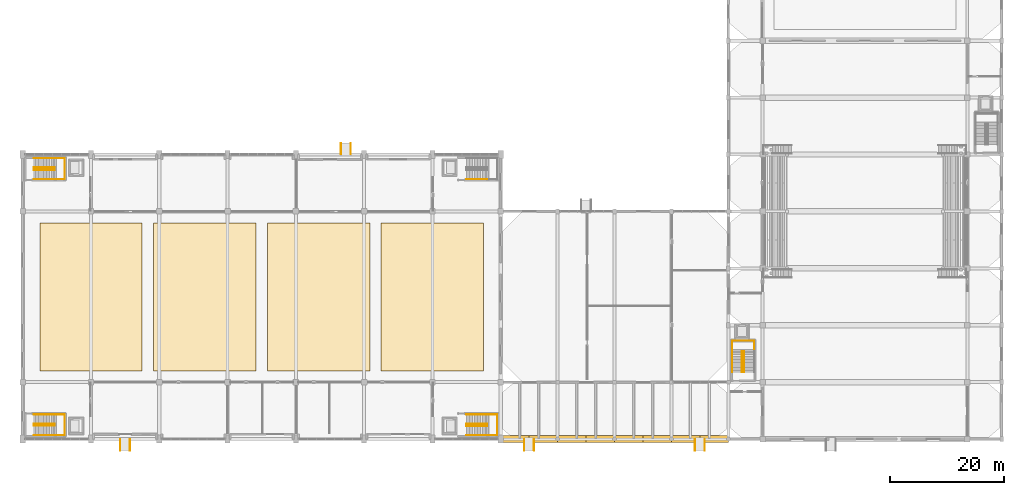
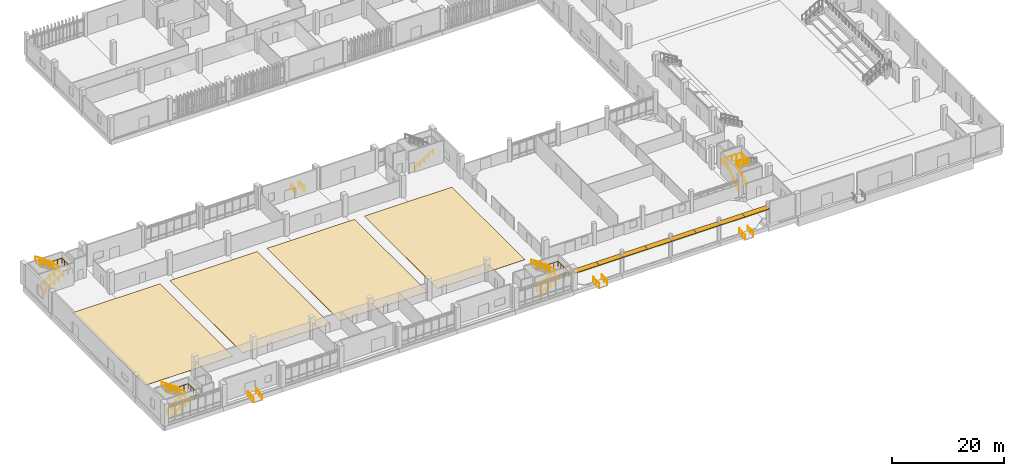
# One storey, part 81 of 87: 24 railings, 8 shading devices, 4 coverings.
"""IFC4 building model written with IfcOpenShell, lengths in metres."""

from ifc_helpers import new_model, si_unit, direction, frame, origin, origin_2d, place, context, subcontext, project, spatial, polyline, rectangle, circle, outline, extrude, material, layer, layer_set, type_object, element, save


model = new_model("IFC4")

# Units and contexts
model_context = context("Model", 3, precision=1e-05, world=origin(), true_north=direction((0.0, 1.0)))
body_context = subcontext(model_context, "Body", "Model", "MODEL_VIEW")
ifc_project = project(units=[si_unit("LENGTHUNIT", "METRE"), si_unit("AREAUNIT", "SQUARE_METRE"), si_unit("VOLUMEUNIT", "CUBIC_METRE"), si_unit("PLANEANGLEUNIT", "RADIAN"), si_unit("MASSUNIT", "GRAM", prefix="KILO")], contexts=[model_context])

# Site, building, storey
site_placement = place(None, origin())
site = spatial("IfcSite", under=ifc_project, at=site_placement, CompositionType="ELEMENT")
building_placement = place(site_placement, origin())
building = spatial("IfcBuilding", under=site, at=building_placement, Name="Mersad Railyard Sports Hall", CompositionType="ELEMENT")
storey_placement = place(building_placement, origin())
storey = spatial("IfcBuildingStorey", under=building, at=storey_placement, Name="L00", CompositionType="ELEMENT", Elevation=0.0)

# Coverings
ifc_material_1 = material(Name="Sports floor polyurethane")
ifc_layer_1 = layer(ifc_material_1, 0.030029296875)
ifc_layer_set_1 = layer_set([ifc_layer_1], Name="Sports floor polyurethane")
covering_type = type_object("IfcCoveringType", Name="ARC-CV-FL01", PredefinedType="FLOORING", material=ifc_layer_set_1)
covering_1_placement = place(storey_placement, origin())
element("IfcCovering", 1, at=covering_1_placement, inside=storey, type_object=covering_type, Name="Multi-sport court 1 flooring 016", PredefinedType="FLOORING", context=body_context, shape_type="SweptSolid", body=[
    extrude(outline(polyline([(10.0, 15.5), (28.0, 15.5), (28.0, 41.5), (10.0, 41.5), (10.0, 15.5)])), origin(), (0.0, 0.0, 1.0), 0.030029296875),
])
covering_2_placement = place(storey_placement, origin())
element("IfcCovering", 2, at=covering_2_placement, inside=storey, type_object=covering_type, Name="Multi-sport court 2 flooring 017", PredefinedType="FLOORING", context=body_context, shape_type="SweptSolid", body=[
    extrude(outline(polyline([(30.0, 15.5), (48.0, 15.5), (48.0, 41.5), (30.0, 41.5), (30.0, 15.5)])), origin(), (0.0, 0.0, 1.0), 0.030029296875),
])
covering_3_placement = place(storey_placement, origin())
element("IfcCovering", 3, at=covering_3_placement, inside=storey, type_object=covering_type, Name="Multi-sport court 3 flooring 018", PredefinedType="FLOORING", context=body_context, shape_type="SweptSolid", body=[
    extrude(outline(polyline([(50.0, 15.5), (68.0, 15.5), (68.0, 41.5), (50.0, 41.5), (50.0, 15.5)])), origin(), (0.0, 0.0, 1.0), 0.030029296875),
])
covering_4_placement = place(storey_placement, origin())
element("IfcCovering", 4, at=covering_4_placement, inside=storey, type_object=covering_type, Name="Multi-sport court 4 flooring 019", PredefinedType="FLOORING", context=body_context, shape_type="SweptSolid", body=[
    extrude(outline(polyline([(70.0, 15.5), (88.0, 15.5), (88.0, 41.5), (70.0, 41.5), (70.0, 15.5)])), origin(), (0.0, 0.0, 1.0), 0.030029296875),
])

# Railings
ifc_material_2 = material(Name="Steel S355", Category="steel")
railing_type_1 = type_object("IfcRailingType", Name="ARC-RL-GR01", PredefinedType="GUARDRAIL", material=ifc_material_2)
railing_1_placement = place(storey_placement, frame((8.949951171875, 5.830078125, 0.0)))
element("IfcRailing", 5, at=railing_1_placement, inside=storey, type_object=railing_type_1, Name="Interior guard GR01-0103", PredefinedType="GUARDRAIL", context=body_context, shape_type="SweptSolid", body=[
    extrude(circle(Radius=0.02392578125, at=origin_2d()), frame((0.0, 0.0, 1.09619140625), z_axis=(0.83488217925, 0.0, 0.55042869363), x_axis=(0.0, 1.0, 0.0)), (0.0, 0.0, 1.0), 4.360107421875),
    extrude(circle(Radius=0.02392578125, at=origin_2d()), frame((3.64013671875, 0.0, 3.49609375), z_axis=(0.0, 1.0, 0.0), x_axis=(-1.0, 0.0, 0.0)), (0.0, 0.0, 1.0), 0.33984375),
    extrude(circle(Radius=0.02392578125, at=origin_2d()), frame((3.64013671875, 0.33984375, 3.49609375), z_axis=(-0.834856447115, 0.0, 0.55046772177), x_axis=(0.0, -1.0, 0.0)), (0.0, 0.0, 1.0), 4.360107421875),
    extrude(circle(Radius=0.02099609375, at=origin_2d()), origin(), (0.0, 0.0, 1.0), 1.072021484375),
    extrude(circle(Radius=0.02099609375, at=origin_2d()), frame((0.91015625, 0.0, 0.60009765625)), (0.0, 0.0, 1.0), 1.072021484375),
    extrude(circle(Radius=0.02099609375, at=origin_2d()), frame((1.820068359375, 0.0, 1.199951171875)), (0.0, 0.0, 1.0), 1.072021484375),
    extrude(circle(Radius=0.02099609375, at=origin_2d()), frame((2.72998046875, 0.0, 1.7998046875)), (0.0, 0.0, 1.0), 1.072021484375),
    extrude(circle(Radius=0.02099609375, at=origin_2d()), frame((3.64013671875, 0.0, 2.39990234375)), (0.0, 0.0, 1.0), 1.072021484375),
    extrude(circle(Radius=0.02099609375, at=origin_2d()), frame((3.64013671875, 0.33984375, 2.39990234375)), (0.0, 0.0, 1.0), 1.072021484375),
    extrude(circle(Radius=0.02099609375, at=origin_2d()), frame((2.72998046875, 0.33984375, 3.0)), (0.0, 0.0, 1.0), 1.072021484375),
    extrude(circle(Radius=0.02099609375, at=origin_2d()), frame((1.820068359375, 0.33984375, 3.60009765625)), (0.0, 0.0, 1.0), 1.072021484375),
    extrude(circle(Radius=0.02099609375, at=origin_2d()), frame((0.91015625, 0.33984375, 4.199951171875)), (0.0, 0.0, 1.0), 1.072021484375),
    extrude(circle(Radius=0.02099609375, at=origin_2d()), frame((0.0, 0.33984375, 4.800048828125)), (0.0, 0.0, 1.0), 1.072021484375),
])
railing_2_placement = place(storey_placement, frame((12.590087890625, 4.159912109375, 2.39990234375)))
element("IfcRailing", 6, at=railing_2_placement, inside=storey, type_object=railing_type_1, Name="Interior guard GR01-0104", PredefinedType="GUARDRAIL", context=body_context, shape_type="SweptSolid", body=[
    extrude(circle(Radius=0.02392578125, at=origin_2d()), frame((0.0, 0.0, 1.09619140625), z_axis=(1.0, 0.0, 0.0), x_axis=(0.0, 1.0, 0.0)), (0.0, 0.0, 1.0), 1.7998046875),
    extrude(circle(Radius=0.02392578125, at=origin_2d()), frame((1.7998046875, 0.0, 1.09619140625), z_axis=(0.0, 1.0, 0.0), x_axis=(-1.0, 0.0, 0.0)), (0.0, 0.0, 1.0), 3.68017578125),
    extrude(circle(Radius=0.02392578125, at=origin_2d()), frame((1.7998046875, 3.68017578125, 1.09619140625), z_axis=(-1.0, 0.0, 0.0), x_axis=(0.0, -1.0, 0.0)), (0.0, 0.0, 1.0), 1.7998046875),
    extrude(circle(Radius=0.02099609375, at=origin_2d()), origin(), (0.0, 0.0, 1.0), 1.072021484375),
    extrude(circle(Radius=0.02099609375, at=origin_2d()), frame((0.89990234375, 0.0, 0.0)), (0.0, 0.0, 1.0), 1.072021484375),
    extrude(circle(Radius=0.02099609375, at=origin_2d()), frame((1.7998046875, 0.0, 0.0)), (0.0, 0.0, 1.0), 1.072021484375),
    extrude(circle(Radius=0.02099609375, at=origin_2d()), frame((1.7998046875, 0.919921875, 0.0)), (0.0, 0.0, 1.0), 1.072021484375),
    extrude(circle(Radius=0.02099609375, at=origin_2d()), frame((1.7998046875, 1.840087890625, 0.0)), (0.0, 0.0, 1.0), 1.072021484375),
    extrude(circle(Radius=0.02099609375, at=origin_2d()), frame((1.7998046875, 2.76025390625, 0.0)), (0.0, 0.0, 1.0), 1.072021484375),
    extrude(circle(Radius=0.02099609375, at=origin_2d()), frame((1.7998046875, 3.68017578125, 0.0)), (0.0, 0.0, 1.0), 1.072021484375),
    extrude(circle(Radius=0.02099609375, at=origin_2d()), frame((0.89990234375, 3.68017578125, 0.0)), (0.0, 0.0, 1.0), 1.072021484375),
    extrude(circle(Radius=0.02099609375, at=origin_2d()), frame((0.0, 3.68017578125, 0.0)), (0.0, 0.0, 1.0), 1.072021484375),
])
railing_3_placement = place(storey_placement, frame((84.949951171875, 5.81005859375, 0.0)))
element("IfcRailing", 7, at=railing_3_placement, inside=storey, type_object=railing_type_1, Name="Interior guard GR01-0113", PredefinedType="GUARDRAIL", context=body_context, shape_type="SweptSolid", body=[
    extrude(circle(Radius=0.02392578125, at=origin_2d()), frame((0.0, 0.0, 1.09619140625), z_axis=(0.83488217925, 0.0, 0.55042869363), x_axis=(0.0, 1.0, 0.0)), (0.0, 0.0, 1.0), 4.360107421875),
    extrude(circle(Radius=0.02392578125, at=origin_2d()), frame((3.64013671875, 0.0, 3.49609375), z_axis=(0.0, 1.0, 0.0), x_axis=(-1.0, 0.0, 0.0)), (0.0, 0.0, 1.0), 0.3798828125),
    extrude(circle(Radius=0.02392578125, at=origin_2d()), frame((3.64013671875, 0.3798828125, 3.49609375), z_axis=(-0.834856447115, 0.0, 0.55046772177), x_axis=(0.0, -1.0, 0.0)), (0.0, 0.0, 1.0), 4.360107421875),
    extrude(circle(Radius=0.02099609375, at=origin_2d()), origin(), (0.0, 0.0, 1.0), 1.072021484375),
    extrude(circle(Radius=0.02099609375, at=origin_2d()), frame((0.91015625, 0.0, 0.60009765625)), (0.0, 0.0, 1.0), 1.072021484375),
    extrude(circle(Radius=0.02099609375, at=origin_2d()), frame((1.820068359375, 0.0, 1.199951171875)), (0.0, 0.0, 1.0), 1.072021484375),
    extrude(circle(Radius=0.02099609375, at=origin_2d()), frame((2.72998046875, 0.0, 1.7998046875)), (0.0, 0.0, 1.0), 1.072021484375),
    extrude(circle(Radius=0.02099609375, at=origin_2d()), frame((3.64013671875, 0.0, 2.39990234375)), (0.0, 0.0, 1.0), 1.072021484375),
    extrude(circle(Radius=0.02099609375, at=origin_2d()), frame((3.64013671875, 0.3798828125, 2.39990234375)), (0.0, 0.0, 1.0), 1.072021484375),
    extrude(circle(Radius=0.02099609375, at=origin_2d()), frame((2.72998046875, 0.3798828125, 3.0)), (0.0, 0.0, 1.0), 1.072021484375),
    extrude(circle(Radius=0.02099609375, at=origin_2d()), frame((1.820068359375, 0.3798828125, 3.60009765625)), (0.0, 0.0, 1.0), 1.072021484375),
    extrude(circle(Radius=0.02099609375, at=origin_2d()), frame((0.91015625, 0.3798828125, 4.199951171875)), (0.0, 0.0, 1.0), 1.072021484375),
    extrude(circle(Radius=0.02099609375, at=origin_2d()), frame((0.0, 0.3798828125, 4.800048828125)), (0.0, 0.0, 1.0), 1.072021484375),
])
railing_4_placement = place(storey_placement, frame((88.590087890625, 4.159912109375, 2.39990234375)))
element("IfcRailing", 8, at=railing_4_placement, inside=storey, type_object=railing_type_1, Name="Interior guard GR01-0114", PredefinedType="GUARDRAIL", context=body_context, shape_type="SweptSolid", body=[
    extrude(circle(Radius=0.02392578125, at=origin_2d()), frame((0.0, 0.0, 1.09619140625), z_axis=(1.0, 0.0, 0.0), x_axis=(0.0, 1.0, 0.0)), (0.0, 0.0, 1.0), 1.7998046875),
    extrude(circle(Radius=0.02392578125, at=origin_2d()), frame((1.7998046875, 0.0, 1.09619140625), z_axis=(0.0, 1.0, 0.0), x_axis=(-1.0, 0.0, 0.0)), (0.0, 0.0, 1.0), 3.68017578125),
    extrude(circle(Radius=0.02392578125, at=origin_2d()), frame((1.7998046875, 3.68017578125, 1.09619140625), z_axis=(-1.0, 0.0, 0.0), x_axis=(0.0, -1.0, 0.0)), (0.0, 0.0, 1.0), 1.7998046875),
    extrude(circle(Radius=0.02099609375, at=origin_2d()), origin(), (0.0, 0.0, 1.0), 1.072021484375),
    extrude(circle(Radius=0.02099609375, at=origin_2d()), frame((0.89990234375, 0.0, 0.0)), (0.0, 0.0, 1.0), 1.072021484375),
    extrude(circle(Radius=0.02099609375, at=origin_2d()), frame((1.7998046875, 0.0, 0.0)), (0.0, 0.0, 1.0), 1.072021484375),
    extrude(circle(Radius=0.02099609375, at=origin_2d()), frame((1.7998046875, 0.919921875, 0.0)), (0.0, 0.0, 1.0), 1.072021484375),
    extrude(circle(Radius=0.02099609375, at=origin_2d()), frame((1.7998046875, 1.840087890625, 0.0)), (0.0, 0.0, 1.0), 1.072021484375),
    extrude(circle(Radius=0.02099609375, at=origin_2d()), frame((1.7998046875, 2.76025390625, 0.0)), (0.0, 0.0, 1.0), 1.072021484375),
    extrude(circle(Radius=0.02099609375, at=origin_2d()), frame((1.7998046875, 3.68017578125, 0.0)), (0.0, 0.0, 1.0), 1.072021484375),
    extrude(circle(Radius=0.02099609375, at=origin_2d()), frame((0.89990234375, 3.68017578125, 0.0)), (0.0, 0.0, 1.0), 1.072021484375),
    extrude(circle(Radius=0.02099609375, at=origin_2d()), frame((0.0, 3.68017578125, 0.0)), (0.0, 0.0, 1.0), 1.072021484375),
])
railing_5_placement = place(storey_placement, frame((8.949951171875, 50.7900390625, 0.0)))
element("IfcRailing", 9, at=railing_5_placement, inside=storey, type_object=railing_type_1, Name="Interior guard GR01-0123", PredefinedType="GUARDRAIL", context=body_context, shape_type="SweptSolid", body=[
    extrude(circle(Radius=0.02392578125, at=origin_2d()), frame((0.0, 0.0, 1.09619140625), z_axis=(0.83488217925, 0.0, 0.55042869363), x_axis=(0.0, 1.0, 0.0)), (0.0, 0.0, 1.0), 4.360107421875),
    extrude(circle(Radius=0.02392578125, at=origin_2d()), frame((3.64013671875, 0.0, 3.49609375), z_axis=(0.0, 1.0, 0.0), x_axis=(-1.0, 0.0, 0.0)), (0.0, 0.0, 1.0), 0.419921875),
    extrude(circle(Radius=0.02392578125, at=origin_2d()), frame((3.64013671875, 0.419921875, 3.49609375), z_axis=(-0.834856447115, 0.0, 0.55046772177), x_axis=(0.0, -1.0, 0.0)), (0.0, 0.0, 1.0), 4.360107421875),
    extrude(circle(Radius=0.02099609375, at=origin_2d()), origin(), (0.0, 0.0, 1.0), 1.072021484375),
    extrude(circle(Radius=0.02099609375, at=origin_2d()), frame((0.91015625, 0.0, 0.60009765625)), (0.0, 0.0, 1.0), 1.072021484375),
    extrude(circle(Radius=0.02099609375, at=origin_2d()), frame((1.820068359375, 0.0, 1.199951171875)), (0.0, 0.0, 1.0), 1.072021484375),
    extrude(circle(Radius=0.02099609375, at=origin_2d()), frame((2.72998046875, 0.0, 1.7998046875)), (0.0, 0.0, 1.0), 1.072021484375),
    extrude(circle(Radius=0.02099609375, at=origin_2d()), frame((3.64013671875, 0.0, 2.39990234375)), (0.0, 0.0, 1.0), 1.072021484375),
    extrude(circle(Radius=0.02099609375, at=origin_2d()), frame((3.64013671875, 0.419921875, 2.39990234375)), (0.0, 0.0, 1.0), 1.072021484375),
    extrude(circle(Radius=0.02099609375, at=origin_2d()), frame((2.72998046875, 0.419921875, 3.0)), (0.0, 0.0, 1.0), 1.072021484375),
    extrude(circle(Radius=0.02099609375, at=origin_2d()), frame((1.820068359375, 0.419921875, 3.60009765625)), (0.0, 0.0, 1.0), 1.072021484375),
    extrude(circle(Radius=0.02099609375, at=origin_2d()), frame((0.91015625, 0.419921875, 4.199951171875)), (0.0, 0.0, 1.0), 1.072021484375),
    extrude(circle(Radius=0.02099609375, at=origin_2d()), frame((0.0, 0.419921875, 4.800048828125)), (0.0, 0.0, 1.0), 1.072021484375),
])
railing_6_placement = place(storey_placement, frame((12.590087890625, 49.159912109375, 2.39990234375)))
element("IfcRailing", 10, at=railing_6_placement, inside=storey, type_object=railing_type_1, Name="Interior guard GR01-0124", PredefinedType="GUARDRAIL", context=body_context, shape_type="SweptSolid", body=[
    extrude(circle(Radius=0.02392578125, at=origin_2d()), frame((0.0, 0.0, 1.09619140625), z_axis=(1.0, 0.0, 0.0), x_axis=(0.0, 1.0, 0.0)), (0.0, 0.0, 1.0), 1.7998046875),
    extrude(circle(Radius=0.02392578125, at=origin_2d()), frame((1.7998046875, 0.0, 1.09619140625), z_axis=(0.0, 1.0, 0.0), x_axis=(-1.0, 0.0, 0.0)), (0.0, 0.0, 1.0), 3.68017578125),
    extrude(circle(Radius=0.02392578125, at=origin_2d()), frame((1.7998046875, 3.68017578125, 1.09619140625), z_axis=(-1.0, 0.0, 0.0), x_axis=(0.0, -1.0, 0.0)), (0.0, 0.0, 1.0), 1.7998046875),
    extrude(circle(Radius=0.02099609375, at=origin_2d()), origin(), (0.0, 0.0, 1.0), 1.072021484375),
    extrude(circle(Radius=0.02099609375, at=origin_2d()), frame((0.89990234375, 0.0, 0.0)), (0.0, 0.0, 1.0), 1.072021484375),
    extrude(circle(Radius=0.02099609375, at=origin_2d()), frame((1.7998046875, 0.0, 0.0)), (0.0, 0.0, 1.0), 1.072021484375),
    extrude(circle(Radius=0.02099609375, at=origin_2d()), frame((1.7998046875, 0.919921875, 0.0)), (0.0, 0.0, 1.0), 1.072021484375),
    extrude(circle(Radius=0.02099609375, at=origin_2d()), frame((1.7998046875, 1.840087890625, 0.0)), (0.0, 0.0, 1.0), 1.072021484375),
    extrude(circle(Radius=0.02099609375, at=origin_2d()), frame((1.7998046875, 2.76025390625, 0.0)), (0.0, 0.0, 1.0), 1.072021484375),
    extrude(circle(Radius=0.02099609375, at=origin_2d()), frame((1.7998046875, 3.68017578125, 0.0)), (0.0, 0.0, 1.0), 1.072021484375),
    extrude(circle(Radius=0.02099609375, at=origin_2d()), frame((0.89990234375, 3.68017578125, 0.0)), (0.0, 0.0, 1.0), 1.072021484375),
    extrude(circle(Radius=0.02099609375, at=origin_2d()), frame((0.0, 3.68017578125, 0.0)), (0.0, 0.0, 1.0), 1.072021484375),
])
railing_7_placement = place(storey_placement, frame((133.409912109375, 15.25, 0.0)))
element("IfcRailing", 11, at=railing_7_placement, inside=storey, type_object=railing_type_1, Name="Interior guard GR01-0143", PredefinedType="GUARDRAIL", context=body_context, shape_type="SweptSolid", body=[
    extrude(circle(Radius=0.02392578125, at=origin_2d()), frame((0.0, 0.0, 1.09619140625), z_axis=(0.0, 0.834865213223, 0.550454426587), x_axis=(-1.0, 0.0, 0.0)), (0.0, 0.0, 1.0), 4.35986328125),
    extrude(circle(Radius=0.02392578125, at=origin_2d()), frame((0.0, 3.639892578125, 3.49609375), z_axis=(1.0, 0.0, 0.0), x_axis=(0.0, 1.0, 0.0)), (0.0, 0.0, 1.0), 0.380126953125),
    extrude(circle(Radius=0.02392578125, at=origin_2d()), frame((0.380126953125, 3.639892578125, 3.49609375), z_axis=(0.0, -0.834839479206, 0.550493454965), x_axis=(1.0, 0.0, 0.0)), (0.0, 0.0, 1.0), 4.360107421875),
    extrude(circle(Radius=0.02099609375, at=origin_2d()), origin(), (0.0, 0.0, 1.0), 1.072021484375),
    extrude(circle(Radius=0.02099609375, at=origin_2d()), frame((0.0, 0.909912109375, 0.60009765625)), (0.0, 0.0, 1.0), 1.072021484375),
    extrude(circle(Radius=0.02099609375, at=origin_2d()), frame((0.0, 1.81982421875, 1.199951171875)), (0.0, 0.0, 1.0), 1.072021484375),
    extrude(circle(Radius=0.02099609375, at=origin_2d()), frame((0.0, 2.72998046875, 1.7998046875)), (0.0, 0.0, 1.0), 1.072021484375),
    extrude(circle(Radius=0.02099609375, at=origin_2d()), frame((0.0, 3.639892578125, 2.39990234375)), (0.0, 0.0, 1.0), 1.072021484375),
    extrude(circle(Radius=0.02099609375, at=origin_2d()), frame((0.380126953125, 3.639892578125, 2.39990234375)), (0.0, 0.0, 1.0), 1.072021484375),
    extrude(circle(Radius=0.02099609375, at=origin_2d()), frame((0.380126953125, 2.72998046875, 3.0)), (0.0, 0.0, 1.0), 1.072021484375),
    extrude(circle(Radius=0.02099609375, at=origin_2d()), frame((0.380126953125, 1.81982421875, 3.60009765625)), (0.0, 0.0, 1.0), 1.072021484375),
    extrude(circle(Radius=0.02099609375, at=origin_2d()), frame((0.380126953125, 0.909912109375, 4.199951171875)), (0.0, 0.0, 1.0), 1.072021484375),
    extrude(circle(Radius=0.02099609375, at=origin_2d()), frame((0.380126953125, 0.0, 4.800048828125)), (0.0, 0.0, 1.0), 1.072021484375),
])
railing_8_placement = place(storey_placement, frame((131.659912109375, 18.889892578125, 2.39990234375)))
element("IfcRailing", 12, at=railing_8_placement, inside=storey, type_object=railing_type_1, Name="Interior guard GR01-0144", PredefinedType="GUARDRAIL", context=body_context, shape_type="SweptSolid", body=[
    extrude(circle(Radius=0.02392578125, at=origin_2d()), frame((0.0, 0.0, 1.09619140625), z_axis=(0.0, 1.0, 0.0), x_axis=(-1.0, 0.0, 0.0)), (0.0, 0.0, 1.0), 1.900146484375),
    extrude(circle(Radius=0.02392578125, at=origin_2d()), frame((0.0, 1.900146484375, 1.09619140625), z_axis=(1.0, 0.0, 0.0), x_axis=(0.0, 1.0, 0.0)), (0.0, 0.0, 1.0), 3.880126953125),
    extrude(circle(Radius=0.02392578125, at=origin_2d()), frame((3.880126953125, 1.900146484375, 1.09619140625), z_axis=(0.0, -1.0, 0.0), x_axis=(1.0, 0.0, 0.0)), (0.0, 0.0, 1.0), 1.900146484375),
    extrude(circle(Radius=0.02099609375, at=origin_2d()), origin(), (0.0, 0.0, 1.0), 1.072021484375),
    extrude(circle(Radius=0.02099609375, at=origin_2d()), frame((0.0, 0.9501953125, 0.0)), (0.0, 0.0, 1.0), 1.072021484375),
    extrude(circle(Radius=0.02099609375, at=origin_2d()), frame((0.0, 1.900146484375, 0.0)), (0.0, 0.0, 1.0), 1.072021484375),
    extrude(circle(Radius=0.02099609375, at=origin_2d()), frame((0.969970703125, 1.900146484375, 0.0)), (0.0, 0.0, 1.0), 1.072021484375),
    extrude(circle(Radius=0.02099609375, at=origin_2d()), frame((1.93994140625, 1.900146484375, 0.0)), (0.0, 0.0, 1.0), 1.072021484375),
    extrude(circle(Radius=0.02099609375, at=origin_2d()), frame((2.91015625, 1.900146484375, 0.0)), (0.0, 0.0, 1.0), 1.072021484375),
    extrude(circle(Radius=0.02099609375, at=origin_2d()), frame((3.880126953125, 1.900146484375, 0.0)), (0.0, 0.0, 1.0), 1.072021484375),
    extrude(circle(Radius=0.02099609375, at=origin_2d()), frame((3.880126953125, 0.9501953125, 0.0)), (0.0, 0.0, 1.0), 1.072021484375),
    extrude(circle(Radius=0.02099609375, at=origin_2d()), frame((3.880126953125, 0.0, 0.0)), (0.0, 0.0, 1.0), 1.072021484375),
])
for number, where, name in (
    (13, (95.139892578125, 1.5, -0.14990234375), "Interior guard GR01-0168"),
    (14, (96.860107421875, 1.5, -0.14990234375), "Interior guard GR01-0169"),
    (15, (125.139892578125, 1.5, -0.14990234375), "Interior guard GR01-0170"),
    (16, (126.860107421875, 1.5, -0.14990234375), "Interior guard GR01-0171"),
    (17, (24.139892578125, 1.5, -0.14990234375), "Interior guard GR01-0172"),
    (18, (25.860107421875, 1.5, -0.14990234375), "Interior guard GR01-0173"),
):
    element("IfcRailing", number, at=place(storey_placement, frame(where)), inside=storey, type_object=railing_type_1, Name=name, PredefinedType="GUARDRAIL", context=body_context, shape_type="SweptSolid", body=[
        extrude(circle(Radius=0.02392578125, at=origin_2d()), frame((0.0, 0.0, 1.09619140625), z_axis=(0.0, 0.99743646422, 0.07155766796), x_axis=(-1.0, 0.0, 0.0)), (0.0, 0.0, 1.0), 1.955078125),
        extrude(circle(Radius=0.02099609375, at=origin_2d()), origin(), (0.0, 0.0, 1.0), 1.072021484375),
        extrude(circle(Radius=0.02099609375, at=origin_2d()), frame((0.0, 0.97509765625, 0.06982421875)), (0.0, 0.0, 1.0), 1.072021484375),
        extrude(circle(Radius=0.02099609375, at=origin_2d()), frame((0.0, 1.949951171875, 0.139892578125)), (0.0, 0.0, 1.0), 1.072021484375),
    ])
for number, where, name in (
    (19, (62.93994140625, 55.5, -0.14990234375), "Interior guard GR01-0174"),
    (20, (64.659912109375, 55.5, -0.14990234375), "Interior guard GR01-0175"),
):
    element("IfcRailing", number, at=place(storey_placement, frame(where)), inside=storey, type_object=railing_type_1, Name=name, PredefinedType="GUARDRAIL", context=body_context, shape_type="SweptSolid", body=[
        extrude(circle(Radius=0.02392578125, at=origin_2d()), frame((0.0, 0.0, 1.09619140625), z_axis=(0.0, -0.99743646422, 0.07155766796), x_axis=(1.0, 0.0, 0.0)), (0.0, 0.0, 1.0), 1.955078125),
        extrude(circle(Radius=0.02099609375, at=origin_2d()), origin(), (0.0, 0.0, 1.0), 1.072021484375),
        extrude(circle(Radius=0.02099609375, at=origin_2d()), frame((0.0, -0.97509765625, 0.06982421875)), (0.0, 0.0, 1.0), 1.072021484375),
        extrude(circle(Radius=0.02099609375, at=origin_2d()), frame((0.0, -1.949951171875, 0.139892578125)), (0.0, 0.0, 1.0), 1.072021484375),
    ])
railing_type_2 = type_object("IfcRailingType", Name="ARC-RL-HR01", PredefinedType="HANDRAIL", material=ifc_material_2)
railing_9_placement = place(storey_placement, frame((8.949951171875, 4.159912109375, 0.0)))
element("IfcRailing", 21, at=railing_9_placement, inside=storey, type_object=railing_type_2, Name="Interior handrail HR01-0101", PredefinedType="HANDRAIL", context=body_context, shape_type="SweptSolid", body=[
    extrude(circle(Radius=0.02392578125, at=origin_2d()), frame((0.0, 0.0, 0.89599609375), z_axis=(0.83488217925, 0.0, 0.55042869363), x_axis=(0.0, 1.0, 0.0)), (0.0, 0.0, 1.0), 4.360107421875),
    extrude(circle(Radius=0.02099609375, at=origin_2d()), origin(), (0.0, 0.0, 1.0), 0.871826171875),
    extrude(circle(Radius=0.02099609375, at=origin_2d()), frame((0.91015625, 0.0, 0.60009765625)), (0.0, 0.0, 1.0), 0.871826171875),
    extrude(circle(Radius=0.02099609375, at=origin_2d()), frame((1.820068359375, 0.0, 1.199951171875)), (0.0, 0.0, 1.0), 0.871826171875),
    extrude(circle(Radius=0.02099609375, at=origin_2d()), frame((2.72998046875, 0.0, 1.7998046875)), (0.0, 0.0, 1.0), 0.871826171875),
    extrude(circle(Radius=0.02099609375, at=origin_2d()), frame((3.64013671875, 0.0, 2.39990234375)), (0.0, 0.0, 1.0), 0.871826171875),
])
railing_10_placement = place(storey_placement, frame((12.590087890625, 7.840087890625, 2.39990234375)))
element("IfcRailing", 22, at=railing_10_placement, inside=storey, type_object=railing_type_2, Name="Interior handrail HR01-0102", PredefinedType="HANDRAIL", context=body_context, shape_type="SweptSolid", body=[
    extrude(circle(Radius=0.02392578125, at=origin_2d()), frame((0.0, 0.0, 0.89599609375), z_axis=(-0.834856447115, 0.0, 0.55046772177), x_axis=(0.0, -1.0, 0.0)), (0.0, 0.0, 1.0), 4.360107421875),
    extrude(circle(Radius=0.02099609375, at=origin_2d()), origin(), (0.0, 0.0, 1.0), 0.871826171875),
    extrude(circle(Radius=0.02099609375, at=origin_2d()), frame((-0.91015625, 0.0, 0.60009765625)), (0.0, 0.0, 1.0), 0.871826171875),
    extrude(circle(Radius=0.02099609375, at=origin_2d()), frame((-1.820068359375, 0.0, 1.2001953125)), (0.0, 0.0, 1.0), 0.871826171875),
    extrude(circle(Radius=0.02099609375, at=origin_2d()), frame((-2.72998046875, 0.0, 1.800048828125)), (0.0, 0.0, 1.0), 0.871826171875),
    extrude(circle(Radius=0.02099609375, at=origin_2d()), frame((-3.64013671875, 0.0, 2.400146484375)), (0.0, 0.0, 1.0), 0.871826171875),
])
railing_11_placement = place(storey_placement, frame((84.949951171875, 4.159912109375, 0.0)))
element("IfcRailing", 23, at=railing_11_placement, inside=storey, type_object=railing_type_2, Name="Interior handrail HR01-0111", PredefinedType="HANDRAIL", context=body_context, shape_type="SweptSolid", body=[
    extrude(circle(Radius=0.02392578125, at=origin_2d()), frame((0.0, 0.0, 0.89599609375), z_axis=(0.83488217925, 0.0, 0.55042869363), x_axis=(0.0, 1.0, 0.0)), (0.0, 0.0, 1.0), 4.360107421875),
    extrude(circle(Radius=0.02099609375, at=origin_2d()), origin(), (0.0, 0.0, 1.0), 0.871826171875),
    extrude(circle(Radius=0.02099609375, at=origin_2d()), frame((0.91015625, 0.0, 0.60009765625)), (0.0, 0.0, 1.0), 0.871826171875),
    extrude(circle(Radius=0.02099609375, at=origin_2d()), frame((1.820068359375, 0.0, 1.199951171875)), (0.0, 0.0, 1.0), 0.871826171875),
    extrude(circle(Radius=0.02099609375, at=origin_2d()), frame((2.72998046875, 0.0, 1.7998046875)), (0.0, 0.0, 1.0), 0.871826171875),
    extrude(circle(Radius=0.02099609375, at=origin_2d()), frame((3.64013671875, 0.0, 2.39990234375)), (0.0, 0.0, 1.0), 0.871826171875),
])
railing_12_placement = place(storey_placement, frame((88.590087890625, 7.840087890625, 2.39990234375)))
element("IfcRailing", 24, at=railing_12_placement, inside=storey, type_object=railing_type_2, Name="Interior handrail HR01-0112", PredefinedType="HANDRAIL", context=body_context, shape_type="SweptSolid", body=[
    extrude(circle(Radius=0.02392578125, at=origin_2d()), frame((0.0, 0.0, 0.89599609375), z_axis=(-0.834856447115, 0.0, 0.55046772177), x_axis=(0.0, -1.0, 0.0)), (0.0, 0.0, 1.0), 4.360107421875),
    extrude(circle(Radius=0.02099609375, at=origin_2d()), origin(), (0.0, 0.0, 1.0), 0.871826171875),
    extrude(circle(Radius=0.02099609375, at=origin_2d()), frame((-0.91015625, 0.0, 0.60009765625)), (0.0, 0.0, 1.0), 0.871826171875),
    extrude(circle(Radius=0.02099609375, at=origin_2d()), frame((-1.820068359375, 0.0, 1.2001953125)), (0.0, 0.0, 1.0), 0.871826171875),
    extrude(circle(Radius=0.02099609375, at=origin_2d()), frame((-2.72998046875, 0.0, 1.800048828125)), (0.0, 0.0, 1.0), 0.871826171875),
    extrude(circle(Radius=0.02099609375, at=origin_2d()), frame((-3.64013671875, 0.0, 2.400146484375)), (0.0, 0.0, 1.0), 0.871826171875),
])
railing_13_placement = place(storey_placement, frame((8.949951171875, 49.159912109375, 0.0)))
element("IfcRailing", 25, at=railing_13_placement, inside=storey, type_object=railing_type_2, Name="Interior handrail HR01-0121", PredefinedType="HANDRAIL", context=body_context, shape_type="SweptSolid", body=[
    extrude(circle(Radius=0.02392578125, at=origin_2d()), frame((0.0, 0.0, 0.89599609375), z_axis=(0.83488217925, 0.0, 0.55042869363), x_axis=(0.0, 1.0, 0.0)), (0.0, 0.0, 1.0), 4.360107421875),
    extrude(circle(Radius=0.02099609375, at=origin_2d()), origin(), (0.0, 0.0, 1.0), 0.871826171875),
    extrude(circle(Radius=0.02099609375, at=origin_2d()), frame((0.91015625, 0.0, 0.60009765625)), (0.0, 0.0, 1.0), 0.871826171875),
    extrude(circle(Radius=0.02099609375, at=origin_2d()), frame((1.820068359375, 0.0, 1.199951171875)), (0.0, 0.0, 1.0), 0.871826171875),
    extrude(circle(Radius=0.02099609375, at=origin_2d()), frame((2.72998046875, 0.0, 1.7998046875)), (0.0, 0.0, 1.0), 0.871826171875),
    extrude(circle(Radius=0.02099609375, at=origin_2d()), frame((3.64013671875, 0.0, 2.39990234375)), (0.0, 0.0, 1.0), 0.871826171875),
])
railing_14_placement = place(storey_placement, frame((12.590087890625, 52.840087890625, 2.39990234375)))
element("IfcRailing", 26, at=railing_14_placement, inside=storey, type_object=railing_type_2, Name="Interior handrail HR01-0122", PredefinedType="HANDRAIL", context=body_context, shape_type="SweptSolid", body=[
    extrude(circle(Radius=0.02392578125, at=origin_2d()), frame((0.0, 0.0, 0.89599609375), z_axis=(-0.834856447115, 0.0, 0.55046772177), x_axis=(0.0, -1.0, 0.0)), (0.0, 0.0, 1.0), 4.360107421875),
    extrude(circle(Radius=0.02099609375, at=origin_2d()), origin(), (0.0, 0.0, 1.0), 0.871826171875),
    extrude(circle(Radius=0.02099609375, at=origin_2d()), frame((-0.91015625, 0.0, 0.60009765625)), (0.0, 0.0, 1.0), 0.871826171875),
    extrude(circle(Radius=0.02099609375, at=origin_2d()), frame((-1.820068359375, 0.0, 1.2001953125)), (0.0, 0.0, 1.0), 0.871826171875),
    extrude(circle(Radius=0.02099609375, at=origin_2d()), frame((-2.72998046875, 0.0, 1.800048828125)), (0.0, 0.0, 1.0), 0.871826171875),
    extrude(circle(Radius=0.02099609375, at=origin_2d()), frame((-3.64013671875, 0.0, 2.400146484375)), (0.0, 0.0, 1.0), 0.871826171875),
])
railing_15_placement = place(storey_placement, frame((84.949951171875, 49.159912109375, 0.0)))
element("IfcRailing", 27, at=railing_15_placement, inside=storey, type_object=railing_type_2, Name="Interior handrail HR01-0131", PredefinedType="HANDRAIL", context=body_context, shape_type="SweptSolid", body=[
    extrude(circle(Radius=0.02392578125, at=origin_2d()), frame((0.0, 0.0, 0.89599609375), z_axis=(0.83488217925, 0.0, 0.55042869363), x_axis=(0.0, 1.0, 0.0)), (0.0, 0.0, 1.0), 4.360107421875),
    extrude(circle(Radius=0.02099609375, at=origin_2d()), origin(), (0.0, 0.0, 1.0), 0.871826171875),
    extrude(circle(Radius=0.02099609375, at=origin_2d()), frame((0.91015625, 0.0, 0.60009765625)), (0.0, 0.0, 1.0), 0.871826171875),
    extrude(circle(Radius=0.02099609375, at=origin_2d()), frame((1.820068359375, 0.0, 1.199951171875)), (0.0, 0.0, 1.0), 0.871826171875),
    extrude(circle(Radius=0.02099609375, at=origin_2d()), frame((2.72998046875, 0.0, 1.7998046875)), (0.0, 0.0, 1.0), 0.871826171875),
    extrude(circle(Radius=0.02099609375, at=origin_2d()), frame((3.64013671875, 0.0, 2.39990234375)), (0.0, 0.0, 1.0), 0.871826171875),
])
railing_16_placement = place(storey_placement, frame((131.659912109375, 15.25, 0.0)))
element("IfcRailing", 28, at=railing_16_placement, inside=storey, type_object=railing_type_2, Name="Interior handrail HR01-0141", PredefinedType="HANDRAIL", context=body_context, shape_type="SweptSolid", body=[
    extrude(circle(Radius=0.02392578125, at=origin_2d()), frame((0.0, 0.0, 0.89599609375), z_axis=(0.0, 0.834865213223, 0.550454426587), x_axis=(-1.0, 0.0, 0.0)), (0.0, 0.0, 1.0), 4.35986328125),
    extrude(circle(Radius=0.02099609375, at=origin_2d()), origin(), (0.0, 0.0, 1.0), 0.871826171875),
    extrude(circle(Radius=0.02099609375, at=origin_2d()), frame((0.0, 0.909912109375, 0.60009765625)), (0.0, 0.0, 1.0), 0.871826171875),
    extrude(circle(Radius=0.02099609375, at=origin_2d()), frame((0.0, 1.81982421875, 1.199951171875)), (0.0, 0.0, 1.0), 0.871826171875),
    extrude(circle(Radius=0.02099609375, at=origin_2d()), frame((0.0, 2.72998046875, 1.7998046875)), (0.0, 0.0, 1.0), 0.871826171875),
    extrude(circle(Radius=0.02099609375, at=origin_2d()), frame((0.0, 3.639892578125, 2.39990234375)), (0.0, 0.0, 1.0), 0.871826171875),
])

# Shading devices
ifc_material_3 = material(Name="Precast concrete C45/55", Category="concrete")
ifc_layer_2 = layer(ifc_material_3, 0.1201171875)
ifc_layer_set_2 = layer_set([ifc_layer_2], Name="Precast concrete C45/55")
shading_device_type = type_object("IfcShadingDeviceType", Name="ARC-SH-SS01", PredefinedType="USERDEFINED", material=ifc_layer_set_2)
for number, where, z_axis, x_axis, name in (
    (29, (93.5, 3.5, 3.5302734375), (0.0, 0.0, 1.0), (1.0, 0.0, 0.0), "Arcade sunshade SS01-1A"),
    (30, (98.5, 3.5, 3.5302734375), (0.0, 0.0, 1.0), (1.0, 0.0, 0.0), "Arcade sunshade SS01-1B"),
    (31, (103.5, 3.5, 3.5302734375), (0.0, 0.0, 1.0), (1.0, 0.0, 0.0), "Arcade sunshade SS01-2A"),
    (32, (108.5, 3.5, 3.5302734375), (0.0, 0.0, 1.0), (1.0, 0.0, 0.0), "Arcade sunshade SS01-2B"),
    (33, (113.5, 3.5, 3.5302734375), (0.0, 0.0, 1.0), (1.0, 0.0, 0.0), "Arcade sunshade SS01-3A"),
    (34, (118.5, 3.5, 3.5302734375), (0.0, 0.0, 1.0), (1.0, 0.0, 0.0), "Arcade sunshade SS01-3B"),
    (35, (123.5, 3.5, 3.5302734375), (0.0, 0.0, 1.0), (1.0, 0.0, 0.0), "Arcade sunshade SS01-4A"),
    (36, (128.5, 3.5, 3.5302734375), (0.0, 0.0, 1.0), (1.0, 0.0, 0.0), "Arcade sunshade SS01-4B"),
):
    element("IfcShadingDevice", number, at=place(storey_placement, frame(where, z_axis=z_axis, x_axis=x_axis)), inside=storey, type_object=shading_device_type, Name=name, ObjectType="SUNSHADE", PredefinedType="USERDEFINED", context=body_context, shape_type="SweptSolid", body=[
        extrude(rectangle(XDim=5.0, YDim=1.199951171875, at=origin_2d()), origin(), (0.0, 0.0, 1.0), 0.139892578125),
    ])

save(model, "model.ifc")
